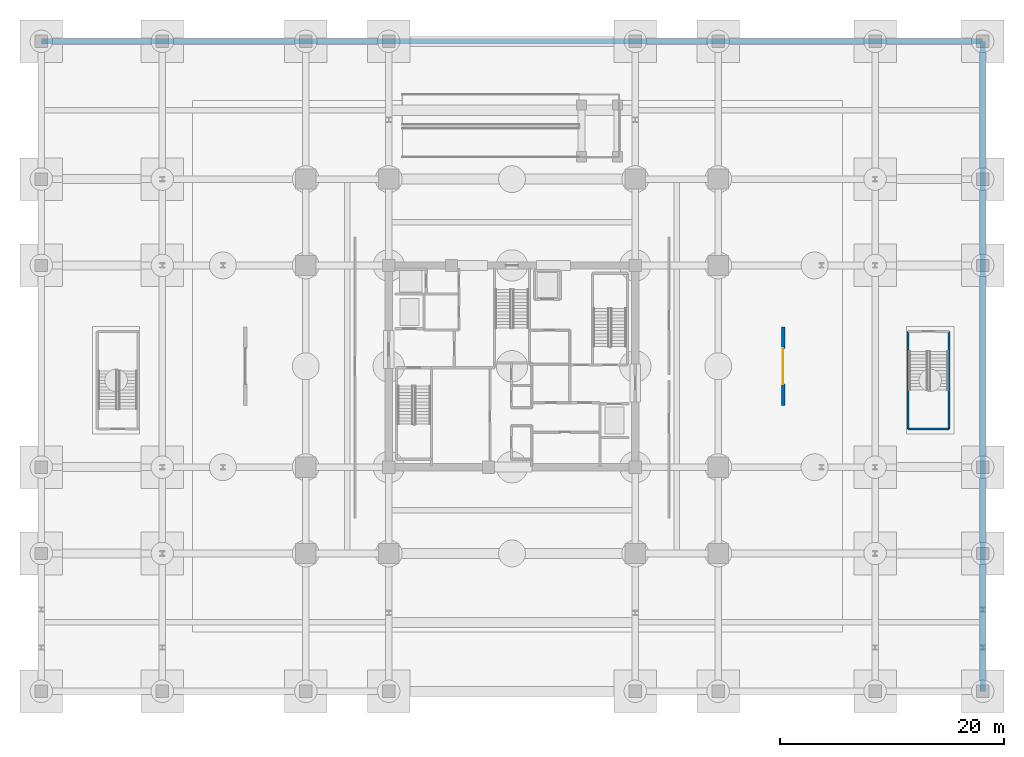
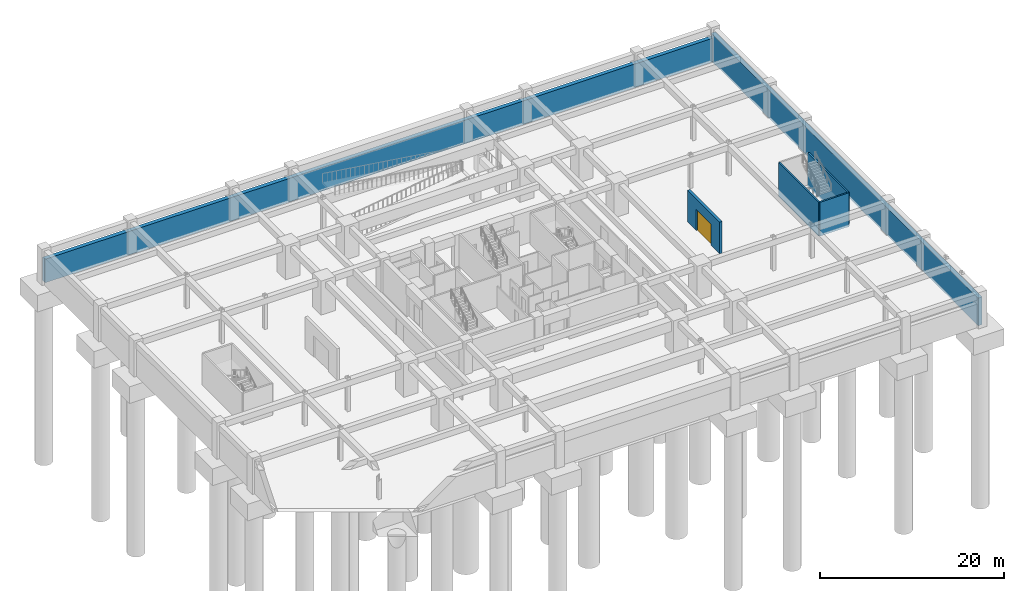
# One storey, part 11 of 17: 6 walls, 1 door, 1 opening.
"""IFC4 building model written with IfcOpenShell, lengths in metres."""

from ifc_helpers import new_model, si_unit, direction, frame, frame_2d, origin, place, context, subcontext, project, spatial, rectangle, extrude, material, layer, layer_set, type_object, element, fill, save


model = new_model("IFC4")

# Units and contexts
model_context = context("Model", 3, precision=1e-05, world=origin(), true_north=direction((0.0, 1.0)))
body_context = subcontext(model_context, "Body", "Model", "MODEL_VIEW")
ifc_project = project(units=[si_unit("LENGTHUNIT", "METRE"), si_unit("AREAUNIT", "SQUARE_METRE"), si_unit("VOLUMEUNIT", "CUBIC_METRE"), si_unit("PLANEANGLEUNIT", "RADIAN"), si_unit("MASSUNIT", "GRAM", prefix="KILO")], contexts=[model_context])

# Site, building, storey
site_placement = place(None, origin())
site = spatial("IfcSite", under=ifc_project, at=site_placement, CompositionType="ELEMENT")
building_placement = place(site_placement, origin())
building = spatial("IfcBuilding", under=site, at=building_placement, Name="Kovane Verandah Tower", CompositionType="ELEMENT")
storey_placement = place(building_placement, frame((0.0, 0.0, -9.0)))
storey = spatial("IfcBuildingStorey", under=building, at=storey_placement, Name="B2", CompositionType="ELEMENT", Elevation=-9.0)

# Wall, opening, door
ifc_material_1 = material(Name="Concrete C45/55 Podium Facade Wall", Category="concrete")
ifc_layer_1 = layer(ifc_material_1, 0.320068359375)
ifc_layer_set_1 = layer_set([ifc_layer_1], Name="Concrete C45/55 Podium Facade Wall")
wall_type_1 = type_object("IfcWallType", Name="WL-POD-320", PredefinedType="SOLIDWALL", material=ifc_layer_set_1)
wall_1_placement = place(storey_placement, frame((64.199951171875, 24.0, 0.0), z_axis=(0.0, 0.0, 1.0), x_axis=(0.0, 1.0, 0.0)))
wall_1 = element("IfcWall", 1, at=wall_1_placement, inside=storey, type_object=wall_type_1, Name="B2 Service Bay Enclosure Wall 2", PredefinedType="SOLIDWALL", context=body_context, shape_type="SweptSolid", body=[
    extrude(rectangle(XDim=7.0, YDim=0.320068359375, at=frame_2d((3.5, 0.0))), origin(), (0.0, 0.0, 1.0), 4.199951171875),
])
opening_placement = place(wall_1_placement, frame((1.89990234375, 0.0, 0.0)))
opening = element("IfcOpeningElement", 2, at=opening_placement, cuts=wall_1, Name="Opening VG-B2-002", PredefinedType="OPENING", context=body_context, shape_type="SweptSolid", body=[
    extrude(rectangle(XDim=3.199951171875, YDim=2.800048828125, at=frame_2d((1.60009765625, 1.39990234375))), frame((0.0, 0.16015625, 0.0), z_axis=(0.0, -1.0, 0.0), x_axis=(1.0, 0.0, 0.0)), (0.0, 0.0, 1.0), 0.320068359375),
])
ifc_material_2 = material(Name="Galvanised Steel Service Bay Roller Gate", Category="steel")
door_type = type_object("IfcDoorType", Name="DR-GATE-3200x2800", OperationType="ROLLINGUP", PredefinedType="GATE", material=ifc_material_2)
door_placement = place(opening_placement, origin())
door = element("IfcDoor", 3, at=door_placement, inside=storey, type_object=door_type, Name="B2 Service Roller Gate 2", OperationType="ROLLINGUP", OverallHeight=2.800048828125, OverallWidth=3.199951171875, PredefinedType="GATE", context=body_context, shape_type="SweptSolid", body=[
    extrude(rectangle(XDim=3.199951171875, YDim=2.800048828125, at=frame_2d((1.60009765625, 1.39990234375))), frame((0.0, 0.02490234375, 0.0), z_axis=(0.0, -1.0, 0.0), x_axis=(1.0, 0.0, 0.0)), (0.0, 0.0, 1.0), 0.050048828125),
])
fill(opening, door)

# Walls
ifc_material_3 = material(Name="Concrete C45/55", Category="concrete")
ifc_layer_2 = layer(ifc_material_3, 0.5)
ifc_layer_set_2 = layer_set([ifc_layer_2], Name="Concrete C45/55")
wall_type_2 = type_object("IfcWallType", Name="WL-RET-500", PredefinedType="USERDEFINED", material=ifc_layer_set_2)
wall_2_placement = place(storey_placement, frame((82.0, 56.5, -0.300048828125), z_axis=(0.0, 0.0, 1.0), x_axis=(-1.0, 0.0, 0.0)))
element("IfcWall", 4, at=wall_2_placement, inside=storey, type_object=wall_type_2, Name="B2 Basement Perimeter Wall RN", ObjectType="RETAININGWALL", PredefinedType="USERDEFINED", context=body_context, shape_type="SweptSolid", body=[
    extrude(rectangle(XDim=84.0, YDim=0.5, at=frame_2d((42.0, 0.0))), origin(), (0.0, 0.0, 1.0), 3.130126953125),
])
wall_3_placement = place(storey_placement, frame((82.0, -1.5, -0.300048828125), z_axis=(0.0, 0.0, 1.0), x_axis=(0.0, 1.0, 0.0)))
element("IfcWall", 5, at=wall_3_placement, inside=storey, type_object=wall_type_2, Name="B2 Basement Perimeter Wall RE", ObjectType="RETAININGWALL", PredefinedType="USERDEFINED", context=body_context, shape_type="SweptSolid", body=[
    extrude(rectangle(XDim=58.0, YDim=0.5, at=frame_2d((29.0, 0.0))), origin(), (0.0, 0.0, 1.0), 3.679931640625),
])
ifc_layer_3 = layer(ifc_material_3, 0.199951171875)
ifc_layer_set_3 = layer_set([ifc_layer_3], Name="Concrete C45/55")
wall_type_3 = type_object("IfcWallType", Name="WL-SHAFT-200", PredefinedType="SOLIDWALL", material=ifc_layer_set_3)
for number, where, z_axis, x_axis, name in (
    (6, (75.340087890625, 21.89990234375, -0.300048828125), (0.0, 0.0, 1.0), (0.0, 1.0, 0.0), "W-B2-ST-05-W"),
    (7, (79.0, 21.89990234375, -0.300048828125), (0.0, 0.0, 1.0), (0.0, 1.0, 0.0), "W-B2-ST-05-E"),
):
    element("IfcWall", number, at=place(storey_placement, frame(where, z_axis=z_axis, x_axis=x_axis)), inside=storey, type_object=wall_type_3, Name=name, PredefinedType="SOLIDWALL", context=body_context, shape_type="SweptSolid", body=[
        extrude(rectangle(XDim=8.7001953125, YDim=0.199951171875, at=frame_2d((4.35009765625, 0.0))), origin(), (0.0, 0.0, 1.0), 4.5),
    ])
wall_4_placement = place(storey_placement, frame((75.340087890625, 21.89990234375, -0.300048828125), z_axis=(0.0, 0.0, 1.0), x_axis=(1.0, 0.0, 0.0)))
element("IfcWall", 8, at=wall_4_placement, inside=storey, type_object=wall_type_3, Name="W-B2-ST-05-S", PredefinedType="SOLIDWALL", context=body_context, shape_type="SweptSolid", body=[
    extrude(rectangle(XDim=3.659912109375, YDim=0.199951171875, at=frame_2d((1.830078125, 0.0))), origin(), (0.0, 0.0, 1.0), 4.5),
])

save(model, "model.ifc")
